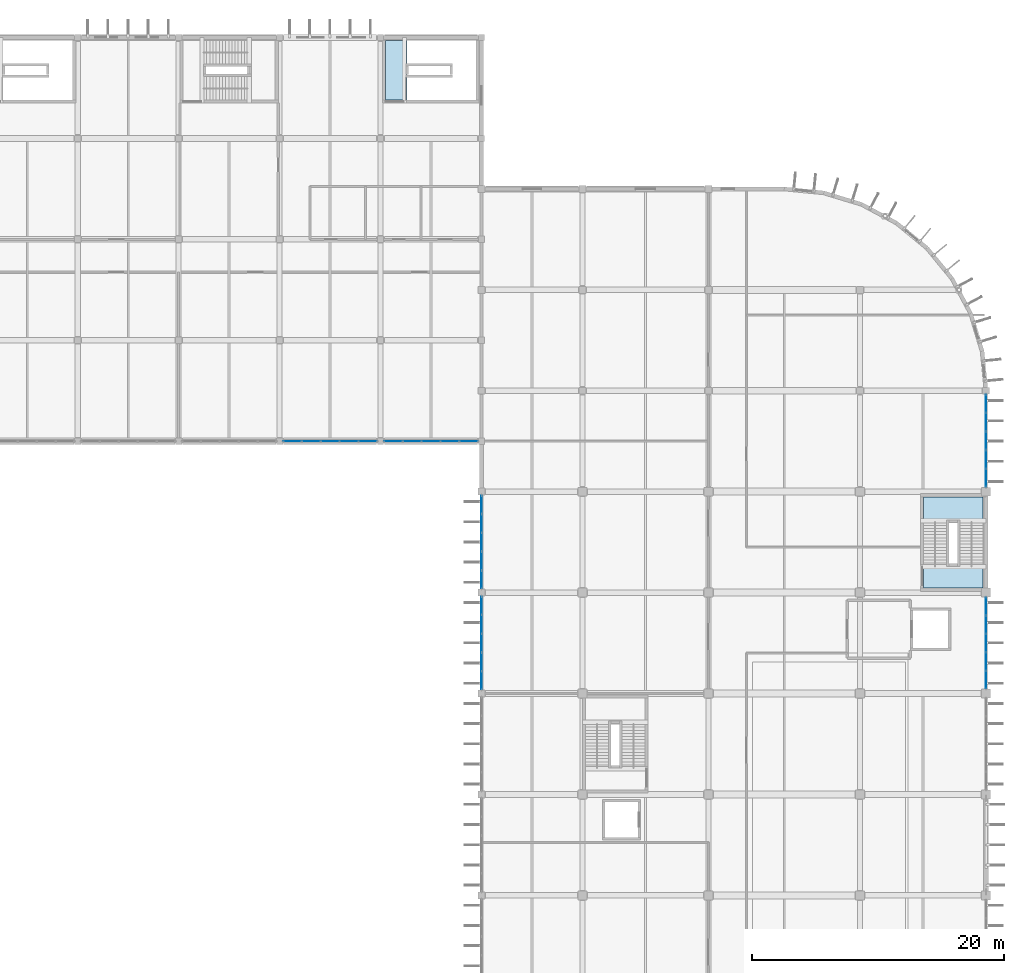
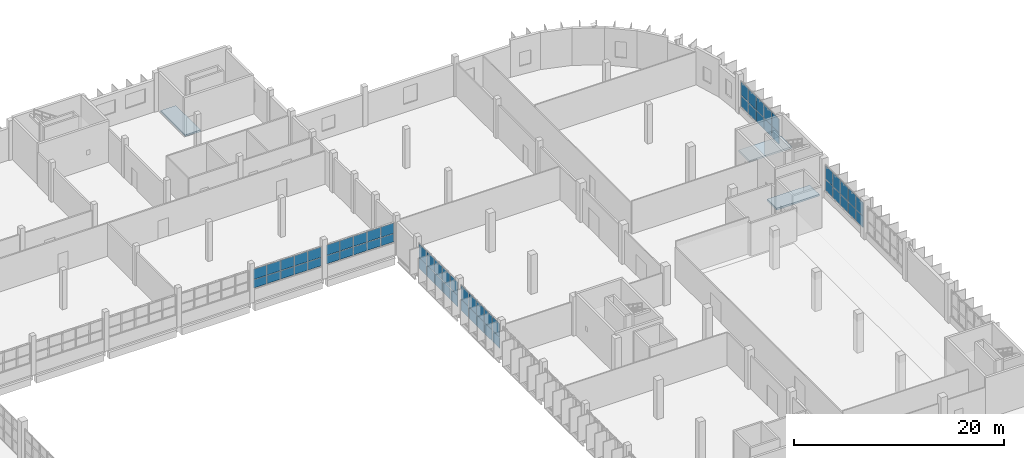
# One storey, part 62 of 93: 60 plates, 3 slabs, 7 elements without a shape of their own.
"""IFC4 building model written with IfcOpenShell, lengths in metres."""

import ifcopenshell
import ifcopenshell.guid

model = None  # the IFC model being written
_history = None  # IfcOwnerHistory: only IFC2X3 demands one
_inside = {}  # id of a spatial element -> (the spatial element, [elements in it])
_under = {}  # id of a project, library or spatial element -> (it, [spatial elements below it])
_declared = {}  # id of a project -> (the project, [libraries it declares])
_typed = {}  # id of a type object -> (the type object, [elements of that type])
_made_of = {}  # id of a material, layer set ... -> (it, [elements and type objects made of it])


def new_model(schema):
    """Start an empty IFC model of exactly this schema.

    Asked for "IFC4X3", IfcOpenShell would pick the latest addendum, in which some entities
    have other attributes; the version numbers below select the first issue.
    IFC2X3 requires an IfcOwnerHistory on every rooted entity: one is made here for all.
    """
    global model, _history
    if schema == "IFC4X3":
        model = ifcopenshell.file(schema_version=(4, 3, 0, 0))
    else:
        model = ifcopenshell.file(schema=schema)
    _inside.clear()
    _under.clear()
    _declared.clear()
    _typed.clear()
    _made_of.clear()
    _history = None
    if model.schema == "IFC2X3":
        org = make("IfcOrganization", Name="unknown")
        user = make(
            "IfcPersonAndOrganization",
            ThePerson=make("IfcPerson", FamilyName="unknown"),
            TheOrganization=org,
        )
        app = make(
            "IfcApplication",
            ApplicationDeveloper=org,
            Version="unknown",
            ApplicationFullName="unknown",
            ApplicationIdentifier="unknown",
        )
        _history = make(
            "IfcOwnerHistory",
            OwningUser=user,
            OwningApplication=app,
            ChangeAction="ADDED",
            CreationDate=0,
        )
    return model


def make(cls, **values):
    """One entity of the class cls with the attributes given. An attribute that is None is left unset."""
    return model.create_entity(
        cls, **{name: value for name, value in values.items() if value is not None}
    )


def rooted(cls, **values):
    """An entity with a GlobalId (a new one), such as an element, a storey or a relation."""
    return make(cls, GlobalId=ifcopenshell.guid.new(), OwnerHistory=_history, **values)


def si_unit(unit_type, name, prefix=None):
    """IfcSIUnit, for example si_unit("LENGTHUNIT", "METRE", prefix="MILLI")."""
    return make("IfcSIUnit", UnitType=unit_type, Prefix=prefix, Name=name)


def assignment(units):
    """IfcUnitAssignment: the units of a project."""
    return None if units is None else make("IfcUnitAssignment", Units=units)


def point(xyz):
    """IfcCartesianPoint."""
    return None if xyz is None else make("IfcCartesianPoint", Coordinates=xyz)


def direction(xyz):
    """IfcDirection."""
    return None if xyz is None else make("IfcDirection", DirectionRatios=xyz)


def frame(location, z_axis=None, x_axis=None):
    """IfcAxis2Placement3D, a coordinate frame: its origin and axes. An axis left out is left unset."""
    return make(
        "IfcAxis2Placement3D",
        Location=point(location),
        Axis=direction(z_axis),
        RefDirection=direction(x_axis),
    )


def frame_2d(location, x_axis=None):
    """IfcAxis2Placement2D, a coordinate frame in the plane: its origin and x axis."""
    return make(
        "IfcAxis2Placement2D", Location=point(location), RefDirection=direction(x_axis)
    )


def origin():
    """The frame at (0, 0, 0) with its axes left unset."""
    return frame((0.0, 0.0, 0.0))


def origin_2d():
    """The frame at (0, 0) in the plane with its x axis left unset."""
    return frame_2d((0.0, 0.0))


def place(relative_to, where):
    """IfcLocalPlacement: puts the frame where relative to a parent placement (None: the world)."""
    return make(
        "IfcLocalPlacement", PlacementRelTo=relative_to, RelativePlacement=where
    )


def context(
    kind, dimensions, precision=None, world=None, true_north=None, identifier=None
):
    """IfcGeometricRepresentationContext, for example the 3D "Model" context."""
    return make(
        "IfcGeometricRepresentationContext",
        ContextIdentifier=identifier,
        ContextType=kind,
        CoordinateSpaceDimension=dimensions,
        Precision=precision,
        WorldCoordinateSystem=world,
        TrueNorth=true_north,
    )


def subcontext(parent, identifier, kind, view, scale=None):
    """IfcGeometricRepresentationSubContext, for example "Body" below "Model"."""
    return make(
        "IfcGeometricRepresentationSubContext",
        ContextIdentifier=identifier,
        ContextType=kind,
        ParentContext=parent,
        TargetScale=scale,
        TargetView=view,
    )


def project(units=None, contexts=None):
    """IfcProject with its units and contexts."""
    return rooted(
        "IfcProject",
        Name="project",
        RepresentationContexts=contexts,
        UnitsInContext=assignment(units),
    )


def spatial(cls, under=None, at=None, **own):
    """A site, building, storey or space (cls), placed at a placement, below another one or the project."""
    s = rooted(cls, ObjectPlacement=at, **own)
    if under is not None:
        _under.setdefault(under.id(), (under, []))[1].append(s)
    return s


def polyline(points):
    """IfcPolyline through the points."""
    return make("IfcPolyline", Points=[point(p) for p in points])


def profile(cls, at=None, kind="AREA", **sizes):
    """A parametric profile (cls). Its sizes go by their IFC names, for example OverallWidth=200.0."""
    return make(cls, ProfileType=kind, Position=at, **sizes)


def rectangle(**sizes):
    """IfcRectangleProfileDef."""
    return profile("IfcRectangleProfileDef", **sizes)


def outline(outer, holes=None, kind="AREA"):
    """IfcArbitraryClosedProfileDef: a profile drawn as a closed curve; with holes, ...WithVoids."""
    if holes is None:
        return make("IfcArbitraryClosedProfileDef", ProfileType=kind, OuterCurve=outer)
    return make(
        "IfcArbitraryProfileDefWithVoids",
        ProfileType=kind,
        OuterCurve=outer,
        InnerCurves=holes,
    )


def extrude(swept, where, along, depth):
    """IfcExtrudedAreaSolid: the profile swept, set in the frame where, extruded along a direction by depth."""
    return make(
        "IfcExtrudedAreaSolid",
        SweptArea=swept,
        Position=where,
        ExtrudedDirection=direction(along),
        Depth=depth,
    )


def shape(context_of_items, identifier, shape_type, items):
    """IfcShapeRepresentation: the items that make up one representation, for example the "Body"."""
    return make(
        "IfcShapeRepresentation",
        ContextOfItems=context_of_items,
        RepresentationIdentifier=identifier,
        RepresentationType=shape_type,
        Items=items,
    )


def material(Name=None, Category=None):
    """IfcMaterial."""
    return make("IfcMaterial", Name=Name, Category=Category)


def layer(
    of_material, thickness, ventilated=None, Name=None, Category=None, Priority=None
):
    """IfcMaterialLayer: one layer of a wall or slab, of a material (None: an air gap)."""
    return make(
        "IfcMaterialLayer",
        Material=of_material,
        LayerThickness=thickness,
        IsVentilated=ventilated,
        Name=Name,
        Category=Category,
        Priority=Priority,
    )


def layer_set(layers, Name=None):
    """IfcMaterialLayerSet."""
    return make("IfcMaterialLayerSet", MaterialLayers=layers, LayerSetName=Name)


def made_of(thing, what):
    """Note that an element or type object is made of a material, layer set ...; save() writes the relation."""
    if what is not None:
        _made_of.setdefault(what.id(), (what, []))[1].append(thing)
    return thing


def type_object(cls, material=None, **own):
    """A type object (cls), such as IfcWallType, which elements share."""
    return made_of(rooted(cls, **own), material)


def element(
    cls,
    number,
    at=None,
    inside=None,
    cuts=None,
    type_object=None,
    material=None,
    context=None,
    identifier="Body",
    shape_type=None,
    held_by="IfcProductDefinitionShape",
    body=None,
    shapes=None,
    **own,
):
    """One element of the class cls, such as IfcWall. Its Tag is "e" and its number.

    at: its placement. inside: the storey or other place that contains it. cuts: it is an
    opening in that element (IfcRelVoidsElement). A single representation is given by context,
    identifier, shape_type and body (its items); several are given by shapes. held_by: the class
    of the entity that holds the representations. save() writes the other relations.
    """
    e = rooted(cls, Tag="e%d" % number, ObjectPlacement=at, **own)
    if body is not None:
        shapes = [shape(context, identifier, shape_type, body)]
    if shapes is not None:
        e.Representation = make(held_by, Representations=shapes)
    if inside is not None:
        _inside.setdefault(inside.id(), (inside, []))[1].append(e)
    if cuts is not None:
        rooted(
            "IfcRelVoidsElement", RelatingBuildingElement=cuts, RelatedOpeningElement=e
        )
    if type_object is not None:
        _typed.setdefault(type_object.id(), (type_object, []))[1].append(e)
    return made_of(e, material)


def aggregate(whole, parts):
    """IfcRelAggregates: a whole, such as a stair, and the parts it consists of."""
    return rooted("IfcRelAggregates", RelatingObject=whole, RelatedObjects=parts)


def save(model, path):
    """Write the relations noted so far, then the file.

    IfcRelAggregates (storeys below a building ...), IfcRelContainedInSpatialStructure (elements
    in a storey), IfcRelDefinesByType, IfcRelAssociatesMaterial and IfcRelDeclares: one each for
    every whole, place, type object, material and project.
    """
    for whole, parts in _under.values():
        aggregate(whole, parts)
    for where, things in _inside.values():
        rooted(
            "IfcRelContainedInSpatialStructure",
            RelatedElements=things,
            RelatingStructure=where,
        )
    for kind, things in _typed.values():
        rooted("IfcRelDefinesByType", RelatedObjects=things, RelatingType=kind)
    for what, things in _made_of.values():
        rooted("IfcRelAssociatesMaterial", RelatedObjects=things, RelatingMaterial=what)
    for by, libraries in _declared.values():
        rooted("IfcRelDeclares", RelatingContext=by, RelatedDefinitions=libraries)
    model.write(path)


model = new_model("IFC4")

# Units and contexts
model_context = context("Model", 3, precision=1e-05, world=origin(), true_north=direction((0.0, 1.0)))
body_context = subcontext(model_context, "Body", "Model", "MODEL_VIEW")
ifc_project = project(units=[si_unit("LENGTHUNIT", "METRE"), si_unit("AREAUNIT", "SQUARE_METRE"), si_unit("VOLUMEUNIT", "CUBIC_METRE"), si_unit("PLANEANGLEUNIT", "RADIAN"), si_unit("MASSUNIT", "GRAM", prefix="KILO")], contexts=[model_context])

# Site, building, storey
site_placement = place(None, origin())
site = spatial("IfcSite", under=ifc_project, at=site_placement, CompositionType="ELEMENT")
building_placement = place(site_placement, origin())
building = spatial("IfcBuilding", under=site, at=building_placement, Name="Drelvana Railside Aquatics Centre", CompositionType="ELEMENT")
storey_placement = place(building_placement, frame((0.0, 0.0, 5.39990234375)))
storey = spatial("IfcBuildingStorey", under=building, at=storey_placement, Name="L01", CompositionType="ELEMENT", Elevation=5.39990234375)

# Curtain wall, plates
ifc_material_1 = material(Name="Bronze-anodised aluminium curtain wall", Category="aluminium")
ifc_layer_1 = layer(ifc_material_1, 0.1650390625, Name="Bronze-anodised aluminium curtain wall")
ifc_layer_set_1 = layer_set([ifc_layer_1], Name="Bronze-anodised aluminium curtain wall")
curtain_wall_type_1 = type_object("IfcCurtainWallType", Name="CW-Z5-COURT", PredefinedType="NOTDEFINED", material=ifc_layer_set_1)
curtain_wall_1_placement = place(storey_placement, origin())
curtain_wall_1 = element("IfcCurtainWall", 1, at=curtain_wall_1_placement, inside=storey, type_object=curtain_wall_type_1, Name="Curtain wall CW-05-124", PredefinedType="NOTDEFINED")
ifc_material_2 = material(Name="Double-glazed low-e solar-control glass", Category="glass")
ifc_layer_2 = layer(ifc_material_2, 0.02587890625, Name="Double-glazed low-e solar-control glass")
ifc_layer_set_2 = layer_set([ifc_layer_2], Name="Double-glazed low-e solar-control glass")
plate_type_1 = type_object("IfcPlateType", Name="CW-Z5-COURT-PAN", PredefinedType="CURTAIN_PANEL", material=ifc_layer_set_2)
plate_1_placement = place(storey_placement, frame((129.01025390625, 84.0, 1.448974609375), z_axis=(0.0, 0.0, 1.0), x_axis=(1.0, 0.0, 0.0)))
plate_1 = element("IfcPlate", 2, at=plate_1_placement, type_object=plate_type_1, Name="CW-05 panel 1.1", PredefinedType="CURTAIN_PANEL", context=body_context, shape_type="SweptSolid", body=[
    extrude(rectangle(XDim=1.42236328125, YDim=0.02587890625, at=origin_2d()), origin(), (0.0, 0.0, 1.0), 0.9580078125),
])
plate_2_placement = place(storey_placement, frame((129.01025390625, 84.0, 2.45703125), z_axis=(0.0, 0.0, 1.0), x_axis=(1.0, 0.0, 0.0)))
plate_2 = element("IfcPlate", 3, at=plate_2_placement, type_object=plate_type_1, Name="CW-05 panel 1.2", PredefinedType="CURTAIN_PANEL", context=body_context, shape_type="SweptSolid", body=[
    extrude(rectangle(XDim=1.42236328125, YDim=0.02587890625, at=origin_2d()), origin(), (0.0, 0.0, 1.0), 1.18798828125),
])
plate_3_placement = place(storey_placement, frame((130.49755859375, 84.0, 1.448974609375), z_axis=(0.0, 0.0, 1.0), x_axis=(1.0, 0.0, 0.0)))
plate_3 = element("IfcPlate", 4, at=plate_3_placement, type_object=plate_type_1, Name="CW-05 panel 2.1", PredefinedType="CURTAIN_PANEL", context=body_context, shape_type="SweptSolid", body=[
    extrude(rectangle(XDim=1.452392578125, YDim=0.02587890625, at=origin_2d()), origin(), (0.0, 0.0, 1.0), 0.9580078125),
])
plate_4_placement = place(storey_placement, frame((130.49755859375, 84.0, 2.45703125), z_axis=(0.0, 0.0, 1.0), x_axis=(1.0, 0.0, 0.0)))
plate_4 = element("IfcPlate", 5, at=plate_4_placement, type_object=plate_type_1, Name="CW-05 panel 2.2", PredefinedType="CURTAIN_PANEL", context=body_context, shape_type="SweptSolid", body=[
    extrude(rectangle(XDim=1.452392578125, YDim=0.02587890625, at=origin_2d()), origin(), (0.0, 0.0, 1.0), 1.18798828125),
])
plate_5_placement = place(storey_placement, frame((132.0, 84.0, 1.448974609375), z_axis=(0.0, 0.0, 1.0), x_axis=(1.0, 0.0, 0.0)))
plate_5 = element("IfcPlate", 6, at=plate_5_placement, type_object=plate_type_1, Name="CW-05 panel 3.1", PredefinedType="CURTAIN_PANEL", context=body_context, shape_type="SweptSolid", body=[
    extrude(rectangle(XDim=1.452392578125, YDim=0.02587890625, at=origin_2d()), origin(), (0.0, 0.0, 1.0), 0.9580078125),
])
plate_6_placement = place(storey_placement, frame((132.0, 84.0, 2.45703125), z_axis=(0.0, 0.0, 1.0), x_axis=(1.0, 0.0, 0.0)))
plate_6 = element("IfcPlate", 7, at=plate_6_placement, type_object=plate_type_1, Name="CW-05 panel 3.2", PredefinedType="CURTAIN_PANEL", context=body_context, shape_type="SweptSolid", body=[
    extrude(rectangle(XDim=1.452392578125, YDim=0.02587890625, at=origin_2d()), origin(), (0.0, 0.0, 1.0), 1.18798828125),
])
plate_7_placement = place(storey_placement, frame((133.50244140625, 84.0, 1.448974609375), z_axis=(0.0, 0.0, 1.0), x_axis=(1.0, 0.0, 0.0)))
plate_7 = element("IfcPlate", 8, at=plate_7_placement, type_object=plate_type_1, Name="CW-05 panel 4.1", PredefinedType="CURTAIN_PANEL", context=body_context, shape_type="SweptSolid", body=[
    extrude(rectangle(XDim=1.452392578125, YDim=0.02587890625, at=origin_2d()), origin(), (0.0, 0.0, 1.0), 0.9580078125),
])
plate_8_placement = place(storey_placement, frame((133.50244140625, 84.0, 2.45703125), z_axis=(0.0, 0.0, 1.0), x_axis=(1.0, 0.0, 0.0)))
plate_8 = element("IfcPlate", 9, at=plate_8_placement, type_object=plate_type_1, Name="CW-05 panel 4.2", PredefinedType="CURTAIN_PANEL", context=body_context, shape_type="SweptSolid", body=[
    extrude(rectangle(XDim=1.452392578125, YDim=0.02587890625, at=origin_2d()), origin(), (0.0, 0.0, 1.0), 1.18798828125),
])
plate_9_placement = place(storey_placement, frame((134.98974609375, 84.0, 1.448974609375), z_axis=(0.0, 0.0, 1.0), x_axis=(1.0, 0.0, 0.0)))
plate_9 = element("IfcPlate", 10, at=plate_9_placement, type_object=plate_type_1, Name="CW-05 panel 5.1", PredefinedType="CURTAIN_PANEL", context=body_context, shape_type="SweptSolid", body=[
    extrude(rectangle(XDim=1.42236328125, YDim=0.02587890625, at=origin_2d()), origin(), (0.0, 0.0, 1.0), 0.9580078125),
])
plate_10_placement = place(storey_placement, frame((134.98974609375, 84.0, 2.45703125), z_axis=(0.0, 0.0, 1.0), x_axis=(1.0, 0.0, 0.0)))
plate_10 = element("IfcPlate", 11, at=plate_10_placement, type_object=plate_type_1, Name="CW-05 panel 5.2", PredefinedType="CURTAIN_PANEL", context=body_context, shape_type="SweptSolid", body=[
    extrude(rectangle(XDim=1.42236328125, YDim=0.02587890625, at=origin_2d()), origin(), (0.0, 0.0, 1.0), 1.18798828125),
])
aggregate(curtain_wall_1, [plate_1, plate_2, plate_3, plate_4, plate_5, plate_6, plate_7, plate_8, plate_9, plate_10])

curtain_wall_2_placement = place(storey_placement, origin())
curtain_wall_2 = element("IfcCurtainWall", 12, at=curtain_wall_2_placement, inside=storey, type_object=curtain_wall_type_1, Name="Curtain wall CW-05-126", PredefinedType="NOTDEFINED")
plate_11_placement = place(storey_placement, frame((137.01025390625, 84.0, 1.448974609375), z_axis=(0.0, 0.0, 1.0), x_axis=(1.0, 0.0, 0.0)))
plate_11 = element("IfcPlate", 13, at=plate_11_placement, type_object=plate_type_1, Name="CW-05 panel 1.1", PredefinedType="CURTAIN_PANEL", context=body_context, shape_type="SweptSolid", body=[
    extrude(rectangle(XDim=1.42236328125, YDim=0.02587890625, at=origin_2d()), origin(), (0.0, 0.0, 1.0), 0.9580078125),
])
plate_12_placement = place(storey_placement, frame((137.01025390625, 84.0, 2.45703125), z_axis=(0.0, 0.0, 1.0), x_axis=(1.0, 0.0, 0.0)))
plate_12 = element("IfcPlate", 14, at=plate_12_placement, type_object=plate_type_1, Name="CW-05 panel 1.2", PredefinedType="CURTAIN_PANEL", context=body_context, shape_type="SweptSolid", body=[
    extrude(rectangle(XDim=1.42236328125, YDim=0.02587890625, at=origin_2d()), origin(), (0.0, 0.0, 1.0), 1.18798828125),
])
plate_13_placement = place(storey_placement, frame((138.49755859375, 84.0, 1.448974609375), z_axis=(0.0, 0.0, 1.0), x_axis=(1.0, 0.0, 0.0)))
plate_13 = element("IfcPlate", 15, at=plate_13_placement, type_object=plate_type_1, Name="CW-05 panel 2.1", PredefinedType="CURTAIN_PANEL", context=body_context, shape_type="SweptSolid", body=[
    extrude(rectangle(XDim=1.452392578125, YDim=0.02587890625, at=origin_2d()), origin(), (0.0, 0.0, 1.0), 0.9580078125),
])
plate_14_placement = place(storey_placement, frame((138.49755859375, 84.0, 2.45703125), z_axis=(0.0, 0.0, 1.0), x_axis=(1.0, 0.0, 0.0)))
plate_14 = element("IfcPlate", 16, at=plate_14_placement, type_object=plate_type_1, Name="CW-05 panel 2.2", PredefinedType="CURTAIN_PANEL", context=body_context, shape_type="SweptSolid", body=[
    extrude(rectangle(XDim=1.452392578125, YDim=0.02587890625, at=origin_2d()), origin(), (0.0, 0.0, 1.0), 1.18798828125),
])
plate_15_placement = place(storey_placement, frame((140.0, 84.0, 1.448974609375), z_axis=(0.0, 0.0, 1.0), x_axis=(1.0, 0.0, 0.0)))
plate_15 = element("IfcPlate", 17, at=plate_15_placement, type_object=plate_type_1, Name="CW-05 panel 3.1", PredefinedType="CURTAIN_PANEL", context=body_context, shape_type="SweptSolid", body=[
    extrude(rectangle(XDim=1.452392578125, YDim=0.02587890625, at=origin_2d()), origin(), (0.0, 0.0, 1.0), 0.9580078125),
])
plate_16_placement = place(storey_placement, frame((140.0, 84.0, 2.45703125), z_axis=(0.0, 0.0, 1.0), x_axis=(1.0, 0.0, 0.0)))
plate_16 = element("IfcPlate", 18, at=plate_16_placement, type_object=plate_type_1, Name="CW-05 panel 3.2", PredefinedType="CURTAIN_PANEL", context=body_context, shape_type="SweptSolid", body=[
    extrude(rectangle(XDim=1.452392578125, YDim=0.02587890625, at=origin_2d()), origin(), (0.0, 0.0, 1.0), 1.18798828125),
])
plate_17_placement = place(storey_placement, frame((141.50244140625, 84.0, 1.448974609375), z_axis=(0.0, 0.0, 1.0), x_axis=(1.0, 0.0, 0.0)))
plate_17 = element("IfcPlate", 19, at=plate_17_placement, type_object=plate_type_1, Name="CW-05 panel 4.1", PredefinedType="CURTAIN_PANEL", context=body_context, shape_type="SweptSolid", body=[
    extrude(rectangle(XDim=1.452392578125, YDim=0.02587890625, at=origin_2d()), origin(), (0.0, 0.0, 1.0), 0.9580078125),
])
plate_18_placement = place(storey_placement, frame((141.50244140625, 84.0, 2.45703125), z_axis=(0.0, 0.0, 1.0), x_axis=(1.0, 0.0, 0.0)))
plate_18 = element("IfcPlate", 20, at=plate_18_placement, type_object=plate_type_1, Name="CW-05 panel 4.2", PredefinedType="CURTAIN_PANEL", context=body_context, shape_type="SweptSolid", body=[
    extrude(rectangle(XDim=1.452392578125, YDim=0.02587890625, at=origin_2d()), origin(), (0.0, 0.0, 1.0), 1.18798828125),
])
plate_19_placement = place(storey_placement, frame((142.98974609375, 84.0, 1.448974609375), z_axis=(0.0, 0.0, 1.0), x_axis=(1.0, 0.0, 0.0)))
plate_19 = element("IfcPlate", 21, at=plate_19_placement, type_object=plate_type_1, Name="CW-05 panel 5.1", PredefinedType="CURTAIN_PANEL", context=body_context, shape_type="SweptSolid", body=[
    extrude(rectangle(XDim=1.42236328125, YDim=0.02587890625, at=origin_2d()), origin(), (0.0, 0.0, 1.0), 0.9580078125),
])
plate_20_placement = place(storey_placement, frame((142.98974609375, 84.0, 2.45703125), z_axis=(0.0, 0.0, 1.0), x_axis=(1.0, 0.0, 0.0)))
plate_20 = element("IfcPlate", 22, at=plate_20_placement, type_object=plate_type_1, Name="CW-05 panel 5.2", PredefinedType="CURTAIN_PANEL", context=body_context, shape_type="SweptSolid", body=[
    extrude(rectangle(XDim=1.42236328125, YDim=0.02587890625, at=origin_2d()), origin(), (0.0, 0.0, 1.0), 1.18798828125),
])
aggregate(curtain_wall_2, [plate_11, plate_12, plate_13, plate_14, plate_15, plate_16, plate_17, plate_18, plate_19, plate_20])

ifc_layer_3 = layer(ifc_material_1, 0.175048828125, Name="Bronze-anodised aluminium curtain wall")
ifc_layer_set_3 = layer_set([ifc_layer_3], Name="Bronze-anodised aluminium curtain wall")
curtain_wall_type_2 = type_object("IfcCurtainWallType", Name="CW-Z6-WING", PredefinedType="NOTDEFINED", material=ifc_layer_set_3)
curtain_wall_3_placement = place(storey_placement, origin())
curtain_wall_3 = element("IfcCurtainWall", 23, at=curtain_wall_3_placement, inside=storey, type_object=curtain_wall_type_2, Name="Curtain wall CW-06-156", PredefinedType="NOTDEFINED")
ifc_layer_4 = layer(ifc_material_2, 0.02392578125, Name="Double-glazed low-e solar-control glass")
ifc_layer_set_4 = layer_set([ifc_layer_4], Name="Double-glazed low-e solar-control glass")
plate_type_2 = type_object("IfcPlateType", Name="CW-Z6-WING-PAN", PredefinedType="CURTAIN_PANEL", material=ifc_layer_set_4)
plate_21_placement = place(storey_placement, frame((144.0, 65.031494140625, 0.84912109375), z_axis=(0.0, 0.0, 1.0), x_axis=(0.0, 1.0, 0.0)))
plate_21 = element("IfcPlate", 24, at=plate_21_placement, type_object=plate_type_2, Name="CW-06 panel 1.1", PredefinedType="CURTAIN_PANEL", context=body_context, shape_type="SweptSolid", body=[
    extrude(rectangle(XDim=1.40478515625, YDim=0.02392578125, at=origin_2d()), origin(), (0.0, 0.0, 1.0), 1.27294921875),
])
plate_22_placement = place(storey_placement, frame((144.0, 65.031494140625, 2.171875), z_axis=(0.0, 0.0, 1.0), x_axis=(0.0, 1.0, 0.0)))
plate_22 = element("IfcPlate", 25, at=plate_22_placement, type_object=plate_type_2, Name="CW-06 panel 1.2", PredefinedType="CURTAIN_PANEL", context=body_context, shape_type="SweptSolid", body=[
    extrude(rectangle(XDim=1.40478515625, YDim=0.02392578125, at=origin_2d()), origin(), (0.0, 0.0, 1.0), 1.572998046875),
])
plate_23_placement = place(storey_placement, frame((144.0, 66.507568359375, 0.84912109375), z_axis=(0.0, 0.0, 1.0), x_axis=(0.0, 1.0, 0.0)))
plate_23 = element("IfcPlate", 26, at=plate_23_placement, type_object=plate_type_2, Name="CW-06 panel 2.1", PredefinedType="CURTAIN_PANEL", context=body_context, shape_type="SweptSolid", body=[
    extrude(rectangle(XDim=1.4375, YDim=0.02392578125, at=origin_2d()), origin(), (0.0, 0.0, 1.0), 1.27294921875),
])
plate_24_placement = place(storey_placement, frame((144.0, 66.507568359375, 2.171875), z_axis=(0.0, 0.0, 1.0), x_axis=(0.0, 1.0, 0.0)))
plate_24 = element("IfcPlate", 27, at=plate_24_placement, type_object=plate_type_2, Name="CW-06 panel 2.2", PredefinedType="CURTAIN_PANEL", context=body_context, shape_type="SweptSolid", body=[
    extrude(rectangle(XDim=1.4375, YDim=0.02392578125, at=origin_2d()), origin(), (0.0, 0.0, 1.0), 1.572998046875),
])
plate_25_placement = place(storey_placement, frame((144.0, 68.0, 0.84912109375), z_axis=(0.0, 0.0, 1.0), x_axis=(0.0, 1.0, 0.0)))
plate_25 = element("IfcPlate", 28, at=plate_25_placement, type_object=plate_type_2, Name="CW-06 panel 3.1", PredefinedType="CURTAIN_PANEL", context=body_context, shape_type="SweptSolid", body=[
    extrude(rectangle(XDim=1.4375, YDim=0.02392578125, at=origin_2d()), origin(), (0.0, 0.0, 1.0), 1.27294921875),
])
plate_26_placement = place(storey_placement, frame((144.0, 68.0, 2.171875), z_axis=(0.0, 0.0, 1.0), x_axis=(0.0, 1.0, 0.0)))
plate_26 = element("IfcPlate", 29, at=plate_26_placement, type_object=plate_type_2, Name="CW-06 panel 3.2", PredefinedType="CURTAIN_PANEL", context=body_context, shape_type="SweptSolid", body=[
    extrude(rectangle(XDim=1.4375, YDim=0.02392578125, at=origin_2d()), origin(), (0.0, 0.0, 1.0), 1.572998046875),
])
plate_27_placement = place(storey_placement, frame((144.0, 69.492431640625, 0.84912109375), z_axis=(0.0, 0.0, 1.0), x_axis=(0.0, 1.0, 0.0)))
plate_27 = element("IfcPlate", 30, at=plate_27_placement, type_object=plate_type_2, Name="CW-06 panel 4.1", PredefinedType="CURTAIN_PANEL", context=body_context, shape_type="SweptSolid", body=[
    extrude(rectangle(XDim=1.4375, YDim=0.02392578125, at=origin_2d()), origin(), (0.0, 0.0, 1.0), 1.27294921875),
])
plate_28_placement = place(storey_placement, frame((144.0, 69.492431640625, 2.171875), z_axis=(0.0, 0.0, 1.0), x_axis=(0.0, 1.0, 0.0)))
plate_28 = element("IfcPlate", 31, at=plate_28_placement, type_object=plate_type_2, Name="CW-06 panel 4.2", PredefinedType="CURTAIN_PANEL", context=body_context, shape_type="SweptSolid", body=[
    extrude(rectangle(XDim=1.4375, YDim=0.02392578125, at=origin_2d()), origin(), (0.0, 0.0, 1.0), 1.572998046875),
])
plate_29_placement = place(storey_placement, frame((144.0, 70.968505859375, 0.84912109375), z_axis=(0.0, 0.0, 1.0), x_axis=(0.0, 1.0, 0.0)))
plate_29 = element("IfcPlate", 32, at=plate_29_placement, type_object=plate_type_2, Name="CW-06 panel 5.1", PredefinedType="CURTAIN_PANEL", context=body_context, shape_type="SweptSolid", body=[
    extrude(rectangle(XDim=1.40478515625, YDim=0.02392578125, at=origin_2d()), origin(), (0.0, 0.0, 1.0), 1.27294921875),
])
plate_30_placement = place(storey_placement, frame((144.0, 70.968505859375, 2.171875), z_axis=(0.0, 0.0, 1.0), x_axis=(0.0, 1.0, 0.0)))
plate_30 = element("IfcPlate", 33, at=plate_30_placement, type_object=plate_type_2, Name="CW-06 panel 5.2", PredefinedType="CURTAIN_PANEL", context=body_context, shape_type="SweptSolid", body=[
    extrude(rectangle(XDim=1.40478515625, YDim=0.02392578125, at=origin_2d()), origin(), (0.0, 0.0, 1.0), 1.572998046875),
])
aggregate(curtain_wall_3, [plate_21, plate_22, plate_23, plate_24, plate_25, plate_26, plate_27, plate_28, plate_29, plate_30])

curtain_wall_4_placement = place(storey_placement, origin())
curtain_wall_4 = element("IfcCurtainWall", 34, at=curtain_wall_4_placement, inside=storey, type_object=curtain_wall_type_2, Name="Curtain wall CW-06-160", PredefinedType="NOTDEFINED")
plate_31_placement = place(storey_placement, frame((144.0, 73.031494140625, 0.84912109375), z_axis=(0.0, 0.0, 1.0), x_axis=(0.0, 1.0, 0.0)))
plate_31 = element("IfcPlate", 35, at=plate_31_placement, type_object=plate_type_2, Name="CW-06 panel 1.1", PredefinedType="CURTAIN_PANEL", context=body_context, shape_type="SweptSolid", body=[
    extrude(rectangle(XDim=1.40478515625, YDim=0.02392578125, at=origin_2d()), origin(), (0.0, 0.0, 1.0), 1.27294921875),
])
plate_32_placement = place(storey_placement, frame((144.0, 73.031494140625, 2.171875), z_axis=(0.0, 0.0, 1.0), x_axis=(0.0, 1.0, 0.0)))
plate_32 = element("IfcPlate", 36, at=plate_32_placement, type_object=plate_type_2, Name="CW-06 panel 1.2", PredefinedType="CURTAIN_PANEL", context=body_context, shape_type="SweptSolid", body=[
    extrude(rectangle(XDim=1.40478515625, YDim=0.02392578125, at=origin_2d()), origin(), (0.0, 0.0, 1.0), 1.572998046875),
])
plate_33_placement = place(storey_placement, frame((144.0, 74.507568359375, 0.84912109375), z_axis=(0.0, 0.0, 1.0), x_axis=(0.0, 1.0, 0.0)))
plate_33 = element("IfcPlate", 37, at=plate_33_placement, type_object=plate_type_2, Name="CW-06 panel 2.1", PredefinedType="CURTAIN_PANEL", context=body_context, shape_type="SweptSolid", body=[
    extrude(rectangle(XDim=1.4375, YDim=0.02392578125, at=origin_2d()), origin(), (0.0, 0.0, 1.0), 1.27294921875),
])
plate_34_placement = place(storey_placement, frame((144.0, 74.507568359375, 2.171875), z_axis=(0.0, 0.0, 1.0), x_axis=(0.0, 1.0, 0.0)))
plate_34 = element("IfcPlate", 38, at=plate_34_placement, type_object=plate_type_2, Name="CW-06 panel 2.2", PredefinedType="CURTAIN_PANEL", context=body_context, shape_type="SweptSolid", body=[
    extrude(rectangle(XDim=1.4375, YDim=0.02392578125, at=origin_2d()), origin(), (0.0, 0.0, 1.0), 1.572998046875),
])
plate_35_placement = place(storey_placement, frame((144.0, 76.0, 0.84912109375), z_axis=(0.0, 0.0, 1.0), x_axis=(0.0, 1.0, 0.0)))
plate_35 = element("IfcPlate", 39, at=plate_35_placement, type_object=plate_type_2, Name="CW-06 panel 3.1", PredefinedType="CURTAIN_PANEL", context=body_context, shape_type="SweptSolid", body=[
    extrude(rectangle(XDim=1.4375, YDim=0.02392578125, at=origin_2d()), origin(), (0.0, 0.0, 1.0), 1.27294921875),
])
plate_36_placement = place(storey_placement, frame((144.0, 76.0, 2.171875), z_axis=(0.0, 0.0, 1.0), x_axis=(0.0, 1.0, 0.0)))
plate_36 = element("IfcPlate", 40, at=plate_36_placement, type_object=plate_type_2, Name="CW-06 panel 3.2", PredefinedType="CURTAIN_PANEL", context=body_context, shape_type="SweptSolid", body=[
    extrude(rectangle(XDim=1.4375, YDim=0.02392578125, at=origin_2d()), origin(), (0.0, 0.0, 1.0), 1.572998046875),
])
plate_37_placement = place(storey_placement, frame((144.0, 77.492431640625, 0.84912109375), z_axis=(0.0, 0.0, 1.0), x_axis=(0.0, 1.0, 0.0)))
plate_37 = element("IfcPlate", 41, at=plate_37_placement, type_object=plate_type_2, Name="CW-06 panel 4.1", PredefinedType="CURTAIN_PANEL", context=body_context, shape_type="SweptSolid", body=[
    extrude(rectangle(XDim=1.4375, YDim=0.02392578125, at=origin_2d()), origin(), (0.0, 0.0, 1.0), 1.27294921875),
])
plate_38_placement = place(storey_placement, frame((144.0, 77.492431640625, 2.171875), z_axis=(0.0, 0.0, 1.0), x_axis=(0.0, 1.0, 0.0)))
plate_38 = element("IfcPlate", 42, at=plate_38_placement, type_object=plate_type_2, Name="CW-06 panel 4.2", PredefinedType="CURTAIN_PANEL", context=body_context, shape_type="SweptSolid", body=[
    extrude(rectangle(XDim=1.4375, YDim=0.02392578125, at=origin_2d()), origin(), (0.0, 0.0, 1.0), 1.572998046875),
])
plate_39_placement = place(storey_placement, frame((144.0, 78.968505859375, 0.84912109375), z_axis=(0.0, 0.0, 1.0), x_axis=(0.0, 1.0, 0.0)))
plate_39 = element("IfcPlate", 43, at=plate_39_placement, type_object=plate_type_2, Name="CW-06 panel 5.1", PredefinedType="CURTAIN_PANEL", context=body_context, shape_type="SweptSolid", body=[
    extrude(rectangle(XDim=1.40478515625, YDim=0.02392578125, at=origin_2d()), origin(), (0.0, 0.0, 1.0), 1.27294921875),
])
plate_40_placement = place(storey_placement, frame((144.0, 78.968505859375, 2.171875), z_axis=(0.0, 0.0, 1.0), x_axis=(0.0, 1.0, 0.0)))
plate_40 = element("IfcPlate", 44, at=plate_40_placement, type_object=plate_type_2, Name="CW-06 panel 5.2", PredefinedType="CURTAIN_PANEL", context=body_context, shape_type="SweptSolid", body=[
    extrude(rectangle(XDim=1.40478515625, YDim=0.02392578125, at=origin_2d()), origin(), (0.0, 0.0, 1.0), 1.572998046875),
])
aggregate(curtain_wall_4, [plate_31, plate_32, plate_33, plate_34, plate_35, plate_36, plate_37, plate_38, plate_39, plate_40])

curtain_wall_5_placement = place(storey_placement, origin())
curtain_wall_5 = element("IfcCurtainWall", 45, at=curtain_wall_5_placement, inside=storey, type_object=curtain_wall_type_2, Name="Curtain wall CW-06-180", PredefinedType="NOTDEFINED")
plate_41_placement = place(storey_placement, frame((184.0, 65.091552734375, 0.84912109375), z_axis=(0.0, 0.0, 1.0), x_axis=(0.0, 1.0, 0.0)))
plate_41 = element("IfcPlate", 46, at=plate_41_placement, type_object=plate_type_2, Name="CW-06 panel 1.1", PredefinedType="CURTAIN_PANEL", context=body_context, shape_type="SweptSolid", body=[
    extrude(rectangle(XDim=1.375, YDim=0.02392578125, at=origin_2d()), origin(), (0.0, 0.0, 1.0), 1.27294921875),
])
plate_42_placement = place(storey_placement, frame((184.0, 65.091552734375, 2.171875), z_axis=(0.0, 0.0, 1.0), x_axis=(0.0, 1.0, 0.0)))
plate_42 = element("IfcPlate", 47, at=plate_42_placement, type_object=plate_type_2, Name="CW-06 panel 1.2", PredefinedType="CURTAIN_PANEL", context=body_context, shape_type="SweptSolid", body=[
    extrude(rectangle(XDim=1.375, YDim=0.02392578125, at=origin_2d()), origin(), (0.0, 0.0, 1.0), 1.572998046875),
])
plate_43_placement = place(storey_placement, frame((184.0, 66.53759765625, 0.84912109375), z_axis=(0.0, 0.0, 1.0), x_axis=(0.0, 1.0, 0.0)))
plate_43 = element("IfcPlate", 48, at=plate_43_placement, type_object=plate_type_2, Name="CW-06 panel 2.1", PredefinedType="CURTAIN_PANEL", context=body_context, shape_type="SweptSolid", body=[
    extrude(rectangle(XDim=1.407470703125, YDim=0.02392578125, at=origin_2d()), origin(), (0.0, 0.0, 1.0), 1.27294921875),
])
plate_44_placement = place(storey_placement, frame((184.0, 66.53759765625, 2.171875), z_axis=(0.0, 0.0, 1.0), x_axis=(0.0, 1.0, 0.0)))
plate_44 = element("IfcPlate", 49, at=plate_44_placement, type_object=plate_type_2, Name="CW-06 panel 2.2", PredefinedType="CURTAIN_PANEL", context=body_context, shape_type="SweptSolid", body=[
    extrude(rectangle(XDim=1.407470703125, YDim=0.02392578125, at=origin_2d()), origin(), (0.0, 0.0, 1.0), 1.572998046875),
])
plate_45_placement = place(storey_placement, frame((184.0, 68.0, 0.84912109375), z_axis=(0.0, 0.0, 1.0), x_axis=(0.0, 1.0, 0.0)))
plate_45 = element("IfcPlate", 50, at=plate_45_placement, type_object=plate_type_2, Name="CW-06 panel 3.1", PredefinedType="CURTAIN_PANEL", context=body_context, shape_type="SweptSolid", body=[
    extrude(rectangle(XDim=1.407470703125, YDim=0.02392578125, at=origin_2d()), origin(), (0.0, 0.0, 1.0), 1.27294921875),
])
plate_46_placement = place(storey_placement, frame((184.0, 68.0, 2.171875), z_axis=(0.0, 0.0, 1.0), x_axis=(0.0, 1.0, 0.0)))
plate_46 = element("IfcPlate", 51, at=plate_46_placement, type_object=plate_type_2, Name="CW-06 panel 3.2", PredefinedType="CURTAIN_PANEL", context=body_context, shape_type="SweptSolid", body=[
    extrude(rectangle(XDim=1.407470703125, YDim=0.02392578125, at=origin_2d()), origin(), (0.0, 0.0, 1.0), 1.572998046875),
])
plate_47_placement = place(storey_placement, frame((184.0, 69.46240234375, 0.84912109375), z_axis=(0.0, 0.0, 1.0), x_axis=(0.0, 1.0, 0.0)))
plate_47 = element("IfcPlate", 52, at=plate_47_placement, type_object=plate_type_2, Name="CW-06 panel 4.1", PredefinedType="CURTAIN_PANEL", context=body_context, shape_type="SweptSolid", body=[
    extrude(rectangle(XDim=1.407470703125, YDim=0.02392578125, at=origin_2d()), origin(), (0.0, 0.0, 1.0), 1.27294921875),
])
plate_48_placement = place(storey_placement, frame((184.0, 69.46240234375, 2.171875), z_axis=(0.0, 0.0, 1.0), x_axis=(0.0, 1.0, 0.0)))
plate_48 = element("IfcPlate", 53, at=plate_48_placement, type_object=plate_type_2, Name="CW-06 panel 4.2", PredefinedType="CURTAIN_PANEL", context=body_context, shape_type="SweptSolid", body=[
    extrude(rectangle(XDim=1.407470703125, YDim=0.02392578125, at=origin_2d()), origin(), (0.0, 0.0, 1.0), 1.572998046875),
])
plate_49_placement = place(storey_placement, frame((184.0, 70.908447265625, 0.84912109375), z_axis=(0.0, 0.0, 1.0), x_axis=(0.0, 1.0, 0.0)))
plate_49 = element("IfcPlate", 54, at=plate_49_placement, type_object=plate_type_2, Name="CW-06 panel 5.1", PredefinedType="CURTAIN_PANEL", context=body_context, shape_type="SweptSolid", body=[
    extrude(rectangle(XDim=1.375, YDim=0.02392578125, at=origin_2d()), origin(), (0.0, 0.0, 1.0), 1.27294921875),
])
plate_50_placement = place(storey_placement, frame((184.0, 70.908447265625, 2.171875), z_axis=(0.0, 0.0, 1.0), x_axis=(0.0, 1.0, 0.0)))
plate_50 = element("IfcPlate", 55, at=plate_50_placement, type_object=plate_type_2, Name="CW-06 panel 5.2", PredefinedType="CURTAIN_PANEL", context=body_context, shape_type="SweptSolid", body=[
    extrude(rectangle(XDim=1.375, YDim=0.02392578125, at=origin_2d()), origin(), (0.0, 0.0, 1.0), 1.572998046875),
])
aggregate(curtain_wall_5, [plate_41, plate_42, plate_43, plate_44, plate_45, plate_46, plate_47, plate_48, plate_49, plate_50])

curtain_wall_6_placement = place(storey_placement, origin())
curtain_wall_6 = element("IfcCurtainWall", 56, at=curtain_wall_6_placement, inside=storey, type_object=curtain_wall_type_2, Name="Curtain wall CW-06-185", PredefinedType="NOTDEFINED")
plate_51_placement = place(storey_placement, frame((184.0, 81.098876953125, 0.84912109375), z_axis=(0.0, 0.0, 1.0), x_axis=(0.0, 1.0, 0.0)))
plate_51 = element("IfcPlate", 57, at=plate_51_placement, type_object=plate_type_2, Name="CW-06 panel 1.1", PredefinedType="CURTAIN_PANEL", context=body_context, shape_type="SweptSolid", body=[
    extrude(rectangle(XDim=1.389892578125, YDim=0.02392578125, at=origin_2d()), origin(), (0.0, 0.0, 1.0), 1.27294921875),
])
plate_52_placement = place(storey_placement, frame((184.0, 81.098876953125, 2.171875), z_axis=(0.0, 0.0, 1.0), x_axis=(0.0, 1.0, 0.0)))
plate_52 = element("IfcPlate", 58, at=plate_52_placement, type_object=plate_type_2, Name="CW-06 panel 1.2", PredefinedType="CURTAIN_PANEL", context=body_context, shape_type="SweptSolid", body=[
    extrude(rectangle(XDim=1.389892578125, YDim=0.02392578125, at=origin_2d()), origin(), (0.0, 0.0, 1.0), 1.572998046875),
])
plate_53_placement = place(storey_placement, frame((184.0, 82.56005859375, 0.84912109375), z_axis=(0.0, 0.0, 1.0), x_axis=(0.0, 1.0, 0.0)))
plate_53 = element("IfcPlate", 59, at=plate_53_placement, type_object=plate_type_2, Name="CW-06 panel 2.1", PredefinedType="CURTAIN_PANEL", context=body_context, shape_type="SweptSolid", body=[
    extrude(rectangle(XDim=1.42236328125, YDim=0.02392578125, at=origin_2d()), origin(), (0.0, 0.0, 1.0), 1.27294921875),
])
plate_54_placement = place(storey_placement, frame((184.0, 82.56005859375, 2.171875), z_axis=(0.0, 0.0, 1.0), x_axis=(0.0, 1.0, 0.0)))
plate_54 = element("IfcPlate", 60, at=plate_54_placement, type_object=plate_type_2, Name="CW-06 panel 2.2", PredefinedType="CURTAIN_PANEL", context=body_context, shape_type="SweptSolid", body=[
    extrude(rectangle(XDim=1.42236328125, YDim=0.02392578125, at=origin_2d()), origin(), (0.0, 0.0, 1.0), 1.572998046875),
])
plate_55_placement = place(storey_placement, frame((184.0, 84.03759765625, 0.84912109375), z_axis=(0.0, 0.0, 1.0), x_axis=(0.0, 1.0, 0.0)))
plate_55 = element("IfcPlate", 61, at=plate_55_placement, type_object=plate_type_2, Name="CW-06 panel 3.1", PredefinedType="CURTAIN_PANEL", context=body_context, shape_type="SweptSolid", body=[
    extrude(rectangle(XDim=1.42236328125, YDim=0.02392578125, at=origin_2d()), origin(), (0.0, 0.0, 1.0), 1.27294921875),
])
plate_56_placement = place(storey_placement, frame((184.0, 84.03759765625, 2.171875), z_axis=(0.0, 0.0, 1.0), x_axis=(0.0, 1.0, 0.0)))
plate_56 = element("IfcPlate", 62, at=plate_56_placement, type_object=plate_type_2, Name="CW-06 panel 3.2", PredefinedType="CURTAIN_PANEL", context=body_context, shape_type="SweptSolid", body=[
    extrude(rectangle(XDim=1.42236328125, YDim=0.02392578125, at=origin_2d()), origin(), (0.0, 0.0, 1.0), 1.572998046875),
])
plate_57_placement = place(storey_placement, frame((184.0, 85.514892578125, 0.84912109375), z_axis=(0.0, 0.0, 1.0), x_axis=(0.0, 1.0, 0.0)))
plate_57 = element("IfcPlate", 63, at=plate_57_placement, type_object=plate_type_2, Name="CW-06 panel 4.1", PredefinedType="CURTAIN_PANEL", context=body_context, shape_type="SweptSolid", body=[
    extrude(rectangle(XDim=1.42236328125, YDim=0.02392578125, at=origin_2d()), origin(), (0.0, 0.0, 1.0), 1.27294921875),
])
plate_58_placement = place(storey_placement, frame((184.0, 85.514892578125, 2.171875), z_axis=(0.0, 0.0, 1.0), x_axis=(0.0, 1.0, 0.0)))
plate_58 = element("IfcPlate", 64, at=plate_58_placement, type_object=plate_type_2, Name="CW-06 panel 4.2", PredefinedType="CURTAIN_PANEL", context=body_context, shape_type="SweptSolid", body=[
    extrude(rectangle(XDim=1.42236328125, YDim=0.02392578125, at=origin_2d()), origin(), (0.0, 0.0, 1.0), 1.572998046875),
])
plate_59_placement = place(storey_placement, frame((184.0, 86.97607421875, 0.84912109375), z_axis=(0.0, 0.0, 1.0), x_axis=(0.0, 1.0, 0.0)))
plate_59 = element("IfcPlate", 65, at=plate_59_placement, type_object=plate_type_2, Name="CW-06 panel 5.1", PredefinedType="CURTAIN_PANEL", context=body_context, shape_type="SweptSolid", body=[
    extrude(rectangle(XDim=1.389892578125, YDim=0.02392578125, at=origin_2d()), origin(), (0.0, 0.0, 1.0), 1.27294921875),
])
plate_60_placement = place(storey_placement, frame((184.0, 86.97607421875, 2.171875), z_axis=(0.0, 0.0, 1.0), x_axis=(0.0, 1.0, 0.0)))
plate_60 = element("IfcPlate", 66, at=plate_60_placement, type_object=plate_type_2, Name="CW-06 panel 5.2", PredefinedType="CURTAIN_PANEL", context=body_context, shape_type="SweptSolid", body=[
    extrude(rectangle(XDim=1.389892578125, YDim=0.02392578125, at=origin_2d()), origin(), (0.0, 0.0, 1.0), 1.572998046875),
])
aggregate(curtain_wall_6, [plate_51, plate_52, plate_53, plate_54, plate_55, plate_56, plate_57, plate_58, plate_59, plate_60])

# Slab
ifc_material_3 = material(Name="Concrete C40/50", Category="concrete")
ifc_layer_5 = layer(ifc_material_3, 0.199951171875, Name="Concrete C40/50")
ifc_layer_set_5 = layer_set([ifc_layer_5], Name="Concrete C40/50")
slab_type = type_object("IfcSlabType", Name="SL-LAND-200", PredefinedType="LANDING", material=ifc_layer_set_5)
slab_1_placement = place(storey_placement, frame((0.0, 0.0, -0.199951171875)))
element("IfcSlab", 67, at=slab_1_placement, inside=storey, type_object=slab_type, Name="Stair ST-07 L01 floor landing", PredefinedType="LANDING", context=body_context, shape_type="SweptSolid", body=[
    extrude(outline(polyline([(179.050048828125, 72.35009765625), (183.75, 72.35009765625), (183.75, 74.14990234375), (179.050048828125, 74.14990234375), (179.050048828125, 72.35009765625)])), origin(), (0.0, 0.0, 1.0), 0.199951171875),
])

# Stair, slab
stair_type = type_object("IfcStairType", Name="ST-CORE-W160", PredefinedType="HALF_TURN_STAIR", material=ifc_material_3)
stair_placement = place(storey_placement, origin())
stair = element("IfcStair", 68, at=stair_placement, inside=storey, type_object=stair_type, Name="Exit stair ST-07 (L01 to L02)", PredefinedType="HALF_TURN_STAIR")
slab_2_placement = place(storey_placement, frame((0.0, 0.0, 2.2001953125)))
slab_2 = element("IfcSlab", 69, at=slab_2_placement, type_object=slab_type, Name="ST-NR landing 1", PredefinedType="LANDING", context=body_context, shape_type="SweptSolid", body=[
    extrude(outline(polyline([(179.050048828125, 77.530029296875), (183.75, 77.530029296875), (183.75, 79.590087890625), (179.050048828125, 79.590087890625), (179.050048828125, 77.530029296875)])), origin(), (0.0, 0.0, 1.0), 0.199951171875),
])
aggregate(stair, [slab_2])

# Slab
slab_3_placement = place(storey_placement, frame((0.0, 0.0, -0.199951171875)))
element("IfcSlab", 70, at=slab_3_placement, inside=storey, type_object=slab_type, Name="Stair ST-12 L01 floor landing", PredefinedType="LANDING", context=body_context, shape_type="SweptSolid", body=[
    extrude(outline(polyline([(136.39990234375, 111.050048828125), (138.080078125, 111.050048828125), (138.080078125, 115.75), (136.39990234375, 115.75), (136.39990234375, 111.050048828125)])), origin(), (0.0, 0.0, 1.0), 0.199951171875),
])

save(model, "model.ifc")
